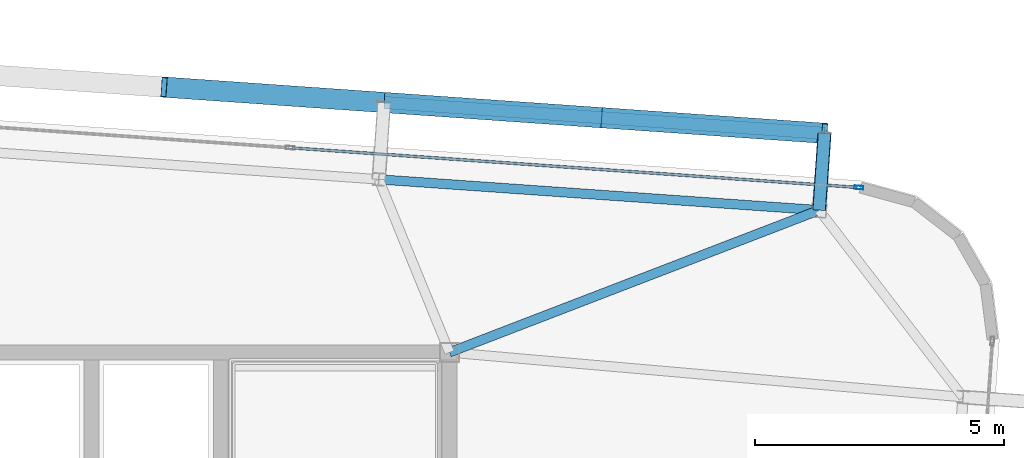
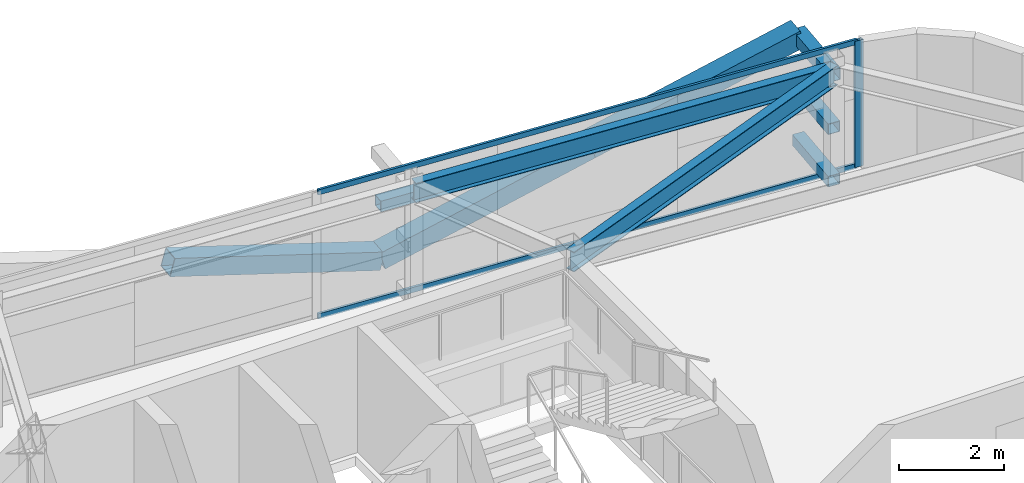
# One storey, part 24 of 39: 10 members, 2 beams, 1 element without a shape of its own.
"""IFC4 building model written with IfcOpenShell, lengths in metres."""

import ifcopenshell
import ifcopenshell.guid

model = None  # the IFC model being written
_history = None  # IfcOwnerHistory: only IFC2X3 demands one
_inside = {}  # id of a spatial element -> (the spatial element, [elements in it])
_under = {}  # id of a project, library or spatial element -> (it, [spatial elements below it])
_declared = {}  # id of a project -> (the project, [libraries it declares])
_typed = {}  # id of a type object -> (the type object, [elements of that type])
_made_of = {}  # id of a material, layer set ... -> (it, [elements and type objects made of it])


def new_model(schema):
    """Start an empty IFC model of exactly this schema.

    Asked for "IFC4X3", IfcOpenShell would pick the latest addendum, in which some entities
    have other attributes; the version numbers below select the first issue.
    IFC2X3 requires an IfcOwnerHistory on every rooted entity: one is made here for all.
    """
    global model, _history
    if schema == "IFC4X3":
        model = ifcopenshell.file(schema_version=(4, 3, 0, 0))
    else:
        model = ifcopenshell.file(schema=schema)
    _inside.clear()
    _under.clear()
    _declared.clear()
    _typed.clear()
    _made_of.clear()
    _history = None
    if model.schema == "IFC2X3":
        org = make("IfcOrganization", Name="unknown")
        user = make(
            "IfcPersonAndOrganization",
            ThePerson=make("IfcPerson", FamilyName="unknown"),
            TheOrganization=org,
        )
        app = make(
            "IfcApplication",
            ApplicationDeveloper=org,
            Version="unknown",
            ApplicationFullName="unknown",
            ApplicationIdentifier="unknown",
        )
        _history = make(
            "IfcOwnerHistory",
            OwningUser=user,
            OwningApplication=app,
            ChangeAction="ADDED",
            CreationDate=0,
        )
    return model


def make(cls, **values):
    """One entity of the class cls with the attributes given. An attribute that is None is left unset."""
    return model.create_entity(
        cls, **{name: value for name, value in values.items() if value is not None}
    )


def rooted(cls, **values):
    """An entity with a GlobalId (a new one), such as an element, a storey or a relation."""
    return make(cls, GlobalId=ifcopenshell.guid.new(), OwnerHistory=_history, **values)


def si_unit(unit_type, name, prefix=None):
    """IfcSIUnit, for example si_unit("LENGTHUNIT", "METRE", prefix="MILLI")."""
    return make("IfcSIUnit", UnitType=unit_type, Prefix=prefix, Name=name)


def assignment(units):
    """IfcUnitAssignment: the units of a project."""
    return None if units is None else make("IfcUnitAssignment", Units=units)


def point(xyz):
    """IfcCartesianPoint."""
    return None if xyz is None else make("IfcCartesianPoint", Coordinates=xyz)


def direction(xyz):
    """IfcDirection."""
    return None if xyz is None else make("IfcDirection", DirectionRatios=xyz)


def frame(location, z_axis=None, x_axis=None):
    """IfcAxis2Placement3D, a coordinate frame: its origin and axes. An axis left out is left unset."""
    return make(
        "IfcAxis2Placement3D",
        Location=point(location),
        Axis=direction(z_axis),
        RefDirection=direction(x_axis),
    )


def frame_2d(location, x_axis=None):
    """IfcAxis2Placement2D, a coordinate frame in the plane: its origin and x axis."""
    return make(
        "IfcAxis2Placement2D", Location=point(location), RefDirection=direction(x_axis)
    )


def origin():
    """The frame at (0, 0, 0) with its axes left unset."""
    return frame((0.0, 0.0, 0.0))


def origin_2d():
    """The frame at (0, 0) in the plane with its x axis left unset."""
    return frame_2d((0.0, 0.0))


def place(relative_to, where):
    """IfcLocalPlacement: puts the frame where relative to a parent placement (None: the world)."""
    return make(
        "IfcLocalPlacement", PlacementRelTo=relative_to, RelativePlacement=where
    )


def context(
    kind, dimensions, precision=None, world=None, true_north=None, identifier=None
):
    """IfcGeometricRepresentationContext, for example the 3D "Model" context."""
    return make(
        "IfcGeometricRepresentationContext",
        ContextIdentifier=identifier,
        ContextType=kind,
        CoordinateSpaceDimension=dimensions,
        Precision=precision,
        WorldCoordinateSystem=world,
        TrueNorth=true_north,
    )


def subcontext(parent, identifier, kind, view, scale=None):
    """IfcGeometricRepresentationSubContext, for example "Body" below "Model"."""
    return make(
        "IfcGeometricRepresentationSubContext",
        ContextIdentifier=identifier,
        ContextType=kind,
        ParentContext=parent,
        TargetScale=scale,
        TargetView=view,
    )


def project(units=None, contexts=None):
    """IfcProject with its units and contexts."""
    return rooted(
        "IfcProject",
        Name="project",
        RepresentationContexts=contexts,
        UnitsInContext=assignment(units),
    )


def spatial(cls, under=None, at=None, **own):
    """A site, building, storey or space (cls), placed at a placement, below another one or the project."""
    s = rooted(cls, ObjectPlacement=at, **own)
    if under is not None:
        _under.setdefault(under.id(), (under, []))[1].append(s)
    return s


def profile(cls, at=None, kind="AREA", **sizes):
    """A parametric profile (cls). Its sizes go by their IFC names, for example OverallWidth=200.0."""
    return make(cls, ProfileType=kind, Position=at, **sizes)


def hollow_rectangle(**sizes):
    """IfcRectangleHollowProfileDef."""
    return profile("IfcRectangleHollowProfileDef", **sizes)


def i_section(**sizes):
    """IfcIShapeProfileDef."""
    return profile("IfcIShapeProfileDef", **sizes)


def extrude(swept, where, along, depth):
    """IfcExtrudedAreaSolid: the profile swept, set in the frame where, extruded along a direction by depth."""
    return make(
        "IfcExtrudedAreaSolid",
        SweptArea=swept,
        Position=where,
        ExtrudedDirection=direction(along),
        Depth=depth,
    )


def shape(context_of_items, identifier, shape_type, items):
    """IfcShapeRepresentation: the items that make up one representation, for example the "Body"."""
    return make(
        "IfcShapeRepresentation",
        ContextOfItems=context_of_items,
        RepresentationIdentifier=identifier,
        RepresentationType=shape_type,
        Items=items,
    )


def source(mapping_origin, context_of_items, identifier, shape_type, items):
    """IfcRepresentationMap: a shape defined once, which mapped items show again and again."""
    return make(
        "IfcRepresentationMap",
        MappingOrigin=mapping_origin,
        MappedRepresentation=shape(context_of_items, identifier, shape_type, items),
    )


def transform(
    local_origin,
    x_axis=None,
    y_axis=None,
    z_axis=None,
    scale=None,
    scale2=None,
    scale3=None,
    uniform=True,
):
    """IfcCartesianTransformationOperator3D, or its non-uniform kind. x_axis, y_axis, z_axis: its Axis1, 2, 3."""
    if uniform:
        return make(
            "IfcCartesianTransformationOperator3D",
            Axis1=direction(x_axis),
            Axis2=direction(y_axis),
            LocalOrigin=point(local_origin),
            Scale=scale,
            Axis3=direction(z_axis),
        )
    return make(
        "IfcCartesianTransformationOperator3DnonUniform",
        Axis1=direction(x_axis),
        Axis2=direction(y_axis),
        LocalOrigin=point(local_origin),
        Scale=scale,
        Axis3=direction(z_axis),
        Scale2=scale2,
        Scale3=scale3,
    )


def mapped(mapping_source, mapping_target):
    """IfcMappedItem: shows the shape of a source again, moved by a transform."""
    return make(
        "IfcMappedItem", MappingSource=mapping_source, MappingTarget=mapping_target
    )


def material(Name=None, Category=None):
    """IfcMaterial."""
    return make("IfcMaterial", Name=Name, Category=Category)


def layer(
    of_material, thickness, ventilated=None, Name=None, Category=None, Priority=None
):
    """IfcMaterialLayer: one layer of a wall or slab, of a material (None: an air gap)."""
    return make(
        "IfcMaterialLayer",
        Material=of_material,
        LayerThickness=thickness,
        IsVentilated=ventilated,
        Name=Name,
        Category=Category,
        Priority=Priority,
    )


def layer_set(layers, Name=None):
    """IfcMaterialLayerSet."""
    return make("IfcMaterialLayerSet", MaterialLayers=layers, LayerSetName=Name)


def material_profile(
    of_material, cross_section, Name=None, Category=None, Priority=None
):
    """IfcMaterialProfile: a cross section and its material."""
    return make(
        "IfcMaterialProfile",
        Name=Name,
        Material=of_material,
        Profile=cross_section,
        Priority=Priority,
        Category=Category,
    )


def profile_set(profiles, Name=None, composite=None):
    """IfcMaterialProfileSet."""
    return make(
        "IfcMaterialProfileSet",
        Name=Name,
        MaterialProfiles=profiles,
        CompositeProfile=composite,
    )


def made_of(thing, what):
    """Note that an element or type object is made of a material, layer set ...; save() writes the relation."""
    if what is not None:
        _made_of.setdefault(what.id(), (what, []))[1].append(thing)
    return thing


def type_object(cls, material=None, **own):
    """A type object (cls), such as IfcWallType, which elements share."""
    return made_of(rooted(cls, **own), material)


def element(
    cls,
    number,
    at=None,
    inside=None,
    cuts=None,
    type_object=None,
    material=None,
    context=None,
    identifier="Body",
    shape_type=None,
    held_by="IfcProductDefinitionShape",
    body=None,
    shapes=None,
    **own,
):
    """One element of the class cls, such as IfcWall. Its Tag is "e" and its number.

    at: its placement. inside: the storey or other place that contains it. cuts: it is an
    opening in that element (IfcRelVoidsElement). A single representation is given by context,
    identifier, shape_type and body (its items); several are given by shapes. held_by: the class
    of the entity that holds the representations. save() writes the other relations.
    """
    e = rooted(cls, Tag="e%d" % number, ObjectPlacement=at, **own)
    if body is not None:
        shapes = [shape(context, identifier, shape_type, body)]
    if shapes is not None:
        e.Representation = make(held_by, Representations=shapes)
    if inside is not None:
        _inside.setdefault(inside.id(), (inside, []))[1].append(e)
    if cuts is not None:
        rooted(
            "IfcRelVoidsElement", RelatingBuildingElement=cuts, RelatedOpeningElement=e
        )
    if type_object is not None:
        _typed.setdefault(type_object.id(), (type_object, []))[1].append(e)
    return made_of(e, material)


def aggregate(whole, parts):
    """IfcRelAggregates: a whole, such as a stair, and the parts it consists of."""
    return rooted("IfcRelAggregates", RelatingObject=whole, RelatedObjects=parts)


def save(model, path):
    """Write the relations noted so far, then the file.

    IfcRelAggregates (storeys below a building ...), IfcRelContainedInSpatialStructure (elements
    in a storey), IfcRelDefinesByType, IfcRelAssociatesMaterial and IfcRelDeclares: one each for
    every whole, place, type object, material and project.
    """
    for whole, parts in _under.values():
        aggregate(whole, parts)
    for where, things in _inside.values():
        rooted(
            "IfcRelContainedInSpatialStructure",
            RelatedElements=things,
            RelatingStructure=where,
        )
    for kind, things in _typed.values():
        rooted("IfcRelDefinesByType", RelatedObjects=things, RelatingType=kind)
    for what, things in _made_of.values():
        rooted("IfcRelAssociatesMaterial", RelatedObjects=things, RelatingMaterial=what)
    for by, libraries in _declared.values():
        rooted("IfcRelDeclares", RelatingContext=by, RelatedDefinitions=libraries)
    model.write(path)


model = new_model("IFC4")

# Units and contexts
model_context = context("Model", 3, precision=1e-05, world=origin(), true_north=direction((0.0, 1.0)))
body_context = subcontext(model_context, "Body", "Model", "MODEL_VIEW")
ifc_project = project(units=[si_unit("LENGTHUNIT", "METRE"), si_unit("AREAUNIT", "SQUARE_METRE"), si_unit("VOLUMEUNIT", "CUBIC_METRE"), si_unit("PLANEANGLEUNIT", "RADIAN"), si_unit("MASSUNIT", "GRAM", prefix="KILO")], contexts=[model_context])

# Site, building, storey
site_placement = place(None, origin())
site = spatial("IfcSite", under=ifc_project, at=site_placement, CompositionType="ELEMENT")
building_placement = place(site_placement, origin())
building = spatial("IfcBuilding", under=site, at=building_placement, Name="Taldren Reach Tower", CompositionType="ELEMENT")
storey_placement = place(building_placement, frame((0.0, 0.0, 145.60009765625)))
storey = spatial("IfcBuildingStorey", under=building, at=storey_placement, Name="L44", CompositionType="ELEMENT", Elevation=145.60009765625)

# Members
ifc_material_1 = material(Name="Steel Gr 450 (C450L0)", Category="steel")
ifc_material_profile_1 = material_profile(ifc_material_1, hollow_rectangle(XDim=0.27490234375, YDim=0.27490234375, WallThickness=0.00927734375, at=origin_2d()), Name="275x275x9.3SHS")
ifc_profile_set_1 = profile_set([ifc_material_profile_1], Name="Steel Gr 450 (C450L0)")
member_type_1 = type_object("IfcMemberType", Name="MB-TIE273", PredefinedType="STRUT", material=ifc_profile_set_1)
shared_shape_1 = source(origin(), body_context, "Body", "SweptSolid", [
    extrude(hollow_rectangle(XDim=0.27490234375, YDim=0.27490234375, WallThickness=0.00927734375, at=origin_2d()), origin(), (0.0, 0.0, 1.0), 1.5498046875),
])
member_1_placement = place(storey_placement, frame((58.4365234375, 34.861572265625, 2.64990234375), z_axis=(0.069780535098, 0.997562367434, 0.0), x_axis=(-0.997562367434, 0.069780535098, 0.0)))
element("IfcMember", 1, at=member_1_placement, inside=storey, type_object=member_type_1, Name="Exoskeleton diaphragm tie strut B3-N6 L44", PredefinedType="STRUT", context=body_context, shape_type="MappedRepresentation", body=[
    mapped(shared_shape_1, transform((0.0, 0.0, 0.0), scale=1.0)),
])
ifc_material_2 = material(Name="Steel Gr 350 (C350L0)", Category="steel")
ifc_material_profile_2 = material_profile(ifc_material_2, hollow_rectangle(XDim=0.25, YDim=0.25, WallThickness=0.010009765625, at=origin_2d()), Name="250x250x10.0SHS")
ifc_profile_set_2 = profile_set([ifc_material_profile_2], Name="Steel Gr 350 (C350L0)")
member_type_2 = type_object("IfcMemberType", Name="MB-POST250", PredefinedType="POST", material=ifc_profile_set_2)
shared_shape_2 = source(origin(), body_context, "Body", "SweptSolid", [
    extrude(hollow_rectangle(XDim=0.25, YDim=0.25, WallThickness=0.010009765625, at=origin_2d()), origin(), (0.0, 0.0, 1.0), 1.5498046875),
])
for number, where, z_axis, x_axis, name in (
    (2, (58.4365234375, 34.861572265625, 0.219970703125), (0.069780535098, 0.997562367434, 0.0), (-0.997562367434, 0.069780535098, 0.0), "Exoskeleton base diaphragm tie strut B3-N6 L44"),
    (3, (58.4365234375, 34.861572265625, 1.434814453125), (0.069780535098, 0.997562367434, 0.0), (-0.997562367434, 0.069780535098, 0.0), "Exoskeleton mid-tier diaphragm tie B3-N6 L44"),
):
    element("IfcMember", number, at=place(storey_placement, frame(where, z_axis=z_axis, x_axis=x_axis)), inside=storey, type_object=member_type_2, Name=name, PredefinedType="POST", context=body_context, shape_type="MappedRepresentation", body=[
        mapped(shared_shape_2, transform((0.0, 0.0, 0.0), scale=1.0)),
    ])

# Beams
ifc_material_3 = material(Name="Steel Gr 350 (350PLUS)", Category="steel")
ifc_material_profile_3 = material_profile(ifc_material_3, i_section(OverallWidth=0.18994140625, OverallDepth=0.4541015625, WebThickness=0.008544921875, FlangeThickness=0.0126953125, at=origin_2d()), Name="460UB67.1")
ifc_profile_set_3 = profile_set([ifc_material_profile_3], Name="Steel Gr 350 (350PLUS)")
beam_type_1 = type_object("IfcBeamType", Name="SP-UB460B", PredefinedType="SPANDREL", material=ifc_profile_set_3)
shared_shape_3 = source(origin(), body_context, "Body", "SweptSolid", [
    extrude(i_section(OverallWidth=0.18994140625, OverallDepth=0.4541015625, WebThickness=0.008544921875, FlangeThickness=0.0126953125, at=origin_2d()), origin(), (0.0, 0.0, 1.0), 8.880126953125),
])
beam_1_placement = place(storey_placement, frame((58.4365234375, 34.861572265625, 2.702880859375), z_axis=(-0.997564479639, 0.069750333063, 0.0), x_axis=(-0.069750333063, -0.997564479639, 0.0)))
element("IfcBeam", 4, at=beam_1_placement, inside=storey, type_object=beam_type_1, Name="Perimeter spandrel B3 N6-N5 L44", PredefinedType="SPANDREL", context=body_context, shape_type="MappedRepresentation", body=[
    mapped(shared_shape_3, transform((0.0, 0.0, 0.0), scale=1.0)),
])
ifc_material_profile_4 = material_profile(ifc_material_3, i_section(OverallWidth=0.19091796875, OverallDepth=0.4599609375, WebThickness=0.010009765625, FlangeThickness=0.01611328125, at=origin_2d()), Name="460UB82.1")
ifc_profile_set_4 = profile_set([ifc_material_profile_4], Name="Steel Gr 350 (350PLUS)")
beam_type_2 = type_object("IfcBeamType", Name="BM-UB460A", PredefinedType="BEAM", material=ifc_profile_set_4)
shared_shape_4 = source(origin(), body_context, "Body", "SweptSolid", [
    extrude(i_section(OverallWidth=0.19091796875, OverallDepth=0.4599609375, WebThickness=0.010009765625, FlangeThickness=0.01611328125, at=origin_2d()), origin(), (0.0, 0.0, 1.0), 7.968017578125),
])
beam_2_placement = place(storey_placement, frame((51.0, 32.0, 2.699951171875), z_axis=(0.933287947144, 0.359128956943, 0.0), x_axis=(-0.359128956943, 0.933287947144, 0.0)))
element("IfcBeam", 5, at=beam_2_placement, inside=storey, type_object=beam_type_2, Name="Primary floor girder B3-N6 L44", PredefinedType="BEAM", context=body_context, shape_type="MappedRepresentation", body=[
    mapped(shared_shape_4, transform((0.0, 0.0, 0.0), scale=1.0)),
])

# Members
shared_shape_5 = source(origin(), body_context, "Body", "SweptSolid", [
    extrude(hollow_rectangle(XDim=0.25, YDim=0.25, WallThickness=0.010009765625, at=origin_2d()), origin(), (0.0, 0.0, 1.0), 8.880126953125),
])
member_2_placement = place(storey_placement, frame((49.686279296875, 37.02734375, 1.434814453125), z_axis=(0.997562566276, -0.06977769246, 0.0), x_axis=(0.06977769246, 0.997562566276, 0.0)))
element("IfcMember", 6, at=member_2_placement, inside=storey, type_object=member_type_2, Name="Exoskeleton mid-height ring chord B3-N5 L44", PredefinedType="POST", context=body_context, shape_type="MappedRepresentation", body=[
    mapped(shared_shape_5, transform((0.0, 0.0, 0.0), scale=1.0)),
])
ifc_material_profile_5 = material_profile(ifc_material_1, hollow_rectangle(XDim=0.409912109375, YDim=0.409912109375, WallThickness=0.01611328125, at=origin_2d()), Name="410x410x16.0SHS")
ifc_profile_set_5 = profile_set([ifc_material_profile_5], Name="Steel Gr 450 (C450L0)")
member_type_3 = type_object("IfcMemberType", Name="MB-EXO406", PredefinedType="BRACE", material=ifc_profile_set_5)
shared_shape_6 = source(origin(), body_context, "Body", "SweptSolid", [
    extrude(hollow_rectangle(XDim=0.409912109375, YDim=0.409912109375, WallThickness=0.01611328125, at=origin_2d()), origin(), (0.0, 0.0, 1.0), 4.603271484375),
])
for number, where, z_axis, x_axis, name in (
    (7, (49.686279296875, 37.02734375, 0.219970703125), (-0.962199253371, 0.067251055742, 0.263912660389), (-0.069722973508, -0.997566392259, 0.0), "Exoskeleton Diagrid Brace B3-N4 L44"),
    (8, (49.686279296875, 37.02734375, 0.219970703125), (0.962195820062, -0.067303852699, 0.263911718699), (0.06977769246, 0.997562566276, 0.0), "Exoskeleton Diagrid Brace B3-N5 L44"),
    (9, (54.115478515625, 36.717529296875, 1.434814453125), (0.962182351074, -0.067302910567, 0.263961060594), (0.06977769246, 0.997562566276, 0.0), "Exoskeleton Diagrid Brace B3-N5 L44"),
):
    element("IfcMember", number, at=place(storey_placement, frame(where, z_axis=z_axis, x_axis=x_axis)), inside=storey, type_object=member_type_3, Name=name, PredefinedType="BRACE", context=body_context, shape_type="MappedRepresentation", body=[
        mapped(shared_shape_6, transform((0.0, 0.0, 0.0), scale=1.0)),
    ])

# Curtain wall, members
ifc_material_4 = material(Name="Aluminium and Low-E Glass Unitised System", Category="aluminium")
ifc_layer = layer(ifc_material_4, 0.159912109375)
ifc_layer_set = layer_set([ifc_layer], Name="Aluminium and Low-E Glass Unitised System")
curtain_wall_type = type_object("IfcCurtainWallType", Name="CW-SYS-4", PredefinedType="NOTDEFINED", material=ifc_layer_set)
curtain_wall_placement = place(storey_placement, origin())
curtain_wall = element("IfcCurtainWall", 10, at=curtain_wall_placement, inside=storey, type_object=curtain_wall_type, Name="Unitised curtain wall CW-L44-N", PredefinedType="NOTDEFINED")
ifc_material_5 = material(Name="Anodised Aluminium 6063-T6", Category="aluminium")
ifc_material_profile_6 = material_profile(ifc_material_5, hollow_rectangle(XDim=0.054931640625, YDim=0.1201171875, WallThickness=0.0029296875, at=origin_2d()), Name="ALU-120x55x3RHS")
ifc_profile_set_6 = profile_set([ifc_material_profile_6], Name="Anodised Aluminium 6063-T6")
member_type_4 = type_object("IfcMemberType", Name="CW-TRN-135", PredefinedType="USERDEFINED", material=ifc_profile_set_6)
shared_shape_7 = source(origin(), body_context, "Body", "SweptSolid", [
    extrude(hollow_rectangle(XDim=0.054931640625, YDim=0.1201171875, WallThickness=0.0029296875, at=origin_2d()), origin(), (0.0, 0.0, 1.0), 11.39501953125),
])
member_3_placement = place(storey_placement, frame((59.2001953125, 35.3193359375, 0.02734375), z_axis=(-0.997563740682, 0.069760900766, 0.0), x_axis=(-0.069760900766, -0.997563740682, 0.0)))
member_3 = element("IfcMember", 11, at=member_3_placement, type_object=member_type_4, Name="CW-4 transom 1.1", ObjectType="TRANSOM", PredefinedType="USERDEFINED", context=body_context, shape_type="MappedRepresentation", body=[
    mapped(shared_shape_7, transform((0.0, 0.0, 0.0), scale=1.0)),
])
member_4_placement = place(storey_placement, frame((59.2001953125, 35.3193359375, 2.90234375), z_axis=(-0.997563740682, 0.069760900766, 0.0), x_axis=(-0.069760900766, -0.997563740682, 0.0)))
member_4 = element("IfcMember", 12, at=member_4_placement, type_object=member_type_4, Name="CW-4 transom 1.2", ObjectType="TRANSOM", PredefinedType="USERDEFINED", context=body_context, shape_type="MappedRepresentation", body=[
    mapped(shared_shape_7, transform((0.0, 0.0, 0.0), scale=1.0)),
])
ifc_material_profile_7 = material_profile(ifc_material_5, hollow_rectangle(XDim=0.070068359375, YDim=0.179931640625, WallThickness=0.00390625, at=origin_2d()), Name="ALU-180x70x4RHS")
ifc_profile_set_7 = profile_set([ifc_material_profile_7], Name="Anodised Aluminium 6063-T6")
member_type_5 = type_object("IfcMemberType", Name="CW-MUL-180", PredefinedType="MULLION", material=ifc_profile_set_7)
shared_shape_8 = source(origin(), body_context, "Body", "SweptSolid", [
    extrude(hollow_rectangle(XDim=0.070068359375, YDim=0.179931640625, WallThickness=0.00390625, at=origin_2d()), origin(), (0.0, 0.0, 1.0), 2.929931640625),
])
member_5_placement = place(storey_placement, frame((59.235107421875, 35.31689453125, 0.0), z_axis=(0.0, 0.0, 1.0), x_axis=(-0.06975651593, -0.99756404731, 0.0)))
member_5 = element("IfcMember", 13, at=member_5_placement, type_object=member_type_5, Name="CW-4 mullion 1", PredefinedType="MULLION", context=body_context, shape_type="MappedRepresentation", body=[
    mapped(shared_shape_8, transform((0.0, 0.0, 0.0), scale=1.0)),
])
aggregate(curtain_wall, [member_5, member_3, member_4])

save(model, "model.ifc")
